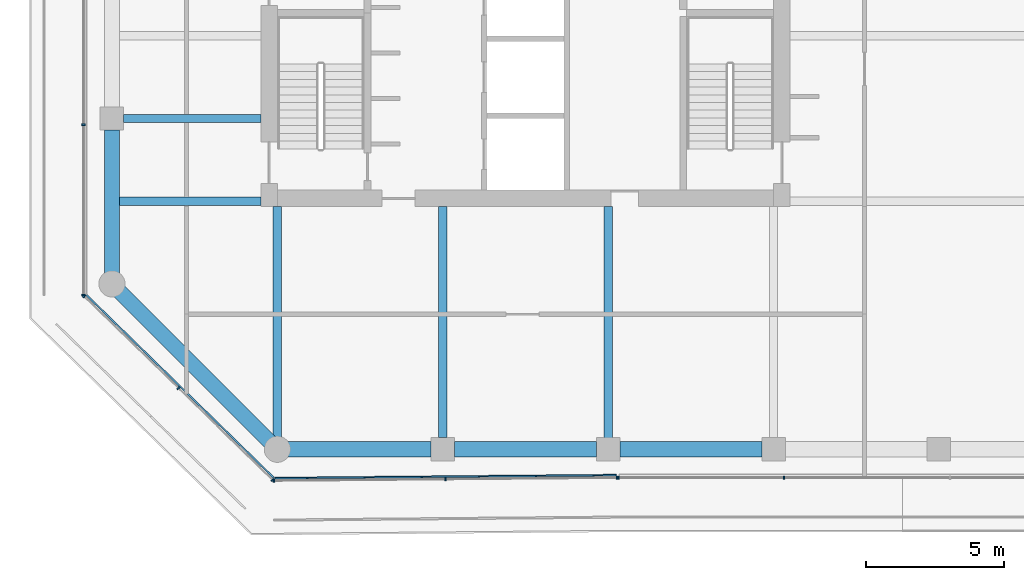
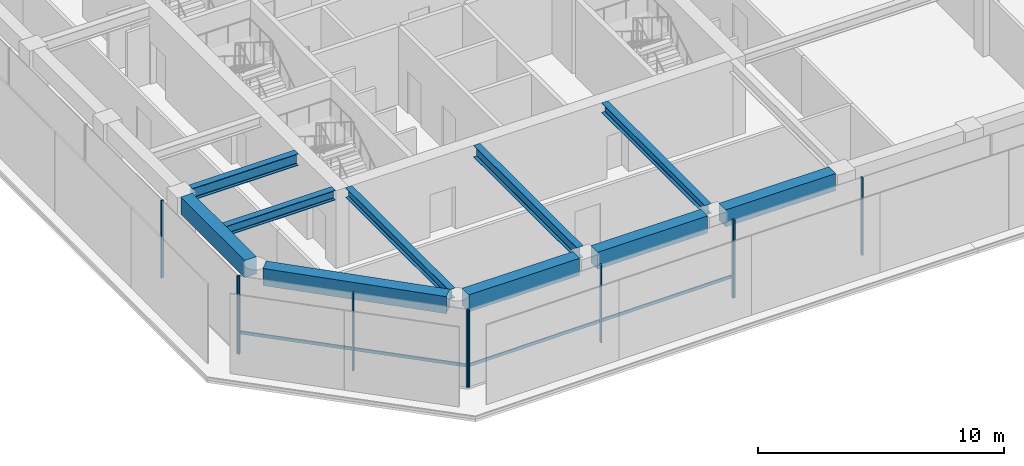
# One storey, part 2 of 19: 12 members, 10 beams, 4 elements without a shape of their own.
"""IFC4 building model written with IfcOpenShell, lengths in metres."""

from ifc_helpers import new_model, si_unit, direction, frame, origin, origin_2d, place, context, subcontext, project, spatial, rectangle, i_section, extrude, material, layer, layer_set, material_profile, profile_set, type_object, element, aggregate, save


model = new_model("IFC4")

# Units and contexts
model_context = context("Model", 3, precision=1e-05, world=origin(), true_north=direction((0.0, 1.0)))
body_context = subcontext(model_context, "Body", "Model", "MODEL_VIEW")
ifc_project = project(units=[si_unit("LENGTHUNIT", "METRE"), si_unit("AREAUNIT", "SQUARE_METRE"), si_unit("VOLUMEUNIT", "CUBIC_METRE"), si_unit("PLANEANGLEUNIT", "RADIAN"), si_unit("MASSUNIT", "GRAM", prefix="KILO")], contexts=[model_context])

# Site, building, storey
site_placement = place(None, origin())
site = spatial("IfcSite", under=ifc_project, at=site_placement, CompositionType="ELEMENT")
building_placement = place(site_placement, origin())
building = spatial("IfcBuilding", under=site, at=building_placement, Name="Welwitschia Terrace Campus", CompositionType="ELEMENT")
storey_placement = place(building_placement, frame((0.0, 0.0, 171.800048828125)))
storey = spatial("IfcBuildingStorey", under=building, at=storey_placement, Name="L38", CompositionType="ELEMENT", Elevation=171.800048828125)

# Beams
ifc_material_1 = material(Name="Steel S355", Category="steel")
ifc_material_profile_1 = material_profile(ifc_material_1, i_section(OverallWidth=0.300048828125, OverallDepth=0.489990234375, WebThickness=0.011962890625, FlangeThickness=0.02294921875, FilletRadius=0.027099609375, at=origin_2d()))
ifc_profile_set_1 = profile_set([ifc_material_profile_1], Name="Steel S355")
beam_type_1 = type_object("IfcBeamType", Name="Interior girder HE 500 A", PredefinedType="BEAM", material=ifc_profile_set_1)
beam_1_placement = place(storey_placement, frame((-0.010009765625, 5.0, 3.60498046875), z_axis=(1.0, 0.0, 0.0), x_axis=(0.0, 1.0, 0.0)))
element("IfcBeam", 1, at=beam_1_placement, inside=storey, type_object=beam_type_1, Name="Girder GB4", PredefinedType="BEAM", context=body_context, shape_type="SweptSolid", body=[
    extrude(i_section(OverallWidth=0.300048828125, OverallDepth=0.489990234375, WebThickness=0.011962890625, FlangeThickness=0.02294921875, FilletRadius=0.027099609375, at=origin_2d()), origin(), (0.0, 0.0, 1.0), 5.408935546875),
])
beam_2_placement = place(storey_placement, frame((6.0, -3.55859375, 3.60498046875), z_axis=(0.0, 1.0, 0.0), x_axis=(-1.0, 0.0, 0.0)))
element("IfcBeam", 2, at=beam_2_placement, inside=storey, type_object=beam_type_1, Name="Girder GB4", PredefinedType="BEAM", context=body_context, shape_type="SweptSolid", body=[
    extrude(i_section(OverallWidth=0.300048828125, OverallDepth=0.489990234375, WebThickness=0.011962890625, FlangeThickness=0.02294921875, FilletRadius=0.027099609375, at=origin_2d()), origin(), (0.0, 0.0, 1.0), 8.357666015625),
])
beam_3_placement = place(storey_placement, frame((18.0, -3.58447265625, 3.60498046875), z_axis=(0.0, 1.0, 0.0), x_axis=(-1.0, 0.0, 0.0)))
element("IfcBeam", 3, at=beam_3_placement, inside=storey, type_object=beam_type_1, Name="Girder GB4", PredefinedType="BEAM", context=body_context, shape_type="SweptSolid", body=[
    extrude(i_section(OverallWidth=0.300048828125, OverallDepth=0.489990234375, WebThickness=0.011962890625, FlangeThickness=0.02294921875, FilletRadius=0.027099609375, at=origin_2d()), origin(), (0.0, 0.0, 1.0), 8.383544921875),
])

# Curtain wall, members
ifc_material_2 = material(Name="Bronze anodised aluminium", Category="aluminium")
ifc_layer = layer(ifc_material_2, 0.1201171875)
ifc_layer_set = layer_set([ifc_layer], Name="Bronze anodised aluminium")
curtain_wall_type = type_object("IfcCurtainWallType", Name="Curtain wall CW2 tower 6000", PredefinedType="NOTDEFINED", material=ifc_layer_set)
curtain_wall_1_placement = place(storey_placement, origin())
curtain_wall_1 = element("IfcCurtainWall", 4, at=curtain_wall_1_placement, inside=storey, type_object=curtain_wall_type, Name="CW L38.1.0", PredefinedType="NOTDEFINED")
ifc_material_3 = material(Name="Bronze anodised aluminium", Category="aluminium")
ifc_material_profile_2 = material_profile(ifc_material_3, rectangle(XDim=0.1201171875, YDim=0.06005859375, at=origin_2d()))
ifc_profile_set_2 = profile_set([ifc_material_profile_2], Name="Bronze anodised aluminium")
member_type_1 = type_object("IfcMemberType", Name="Mullion 60x120", PredefinedType="MULLION", material=ifc_profile_set_2)
member_1_placement = place(storey_placement, frame((-1.030029296875, 7.771240234375, 0.0), z_axis=(0.0, 0.0, 1.0), x_axis=(1.0, 0.0, 0.0)))
member_1 = element("IfcMember", 5, at=member_1_placement, type_object=member_type_1, Name="Mullion L38.1.0.3", PredefinedType="MULLION", context=body_context, shape_type="SweptSolid", body=[
    extrude(rectangle(XDim=0.1201171875, YDim=0.06005859375, at=origin_2d()), origin(), (0.0, 0.0, 1.0), 3.849853515625),
])
member_2_placement = place(storey_placement, frame((-1.030029296875, 1.60302734375, 0.0), z_axis=(0.0, 0.0, 1.0), x_axis=(1.0, 0.0, 0.0)))
member_2 = element("IfcMember", 6, at=member_2_placement, type_object=member_type_1, Name="Mullion L38.1.0.4", PredefinedType="MULLION", context=body_context, shape_type="SweptSolid", body=[
    extrude(rectangle(XDim=0.1201171875, YDim=0.06005859375, at=origin_2d()), origin(), (0.0, 0.0, 1.0), 3.849853515625),
])
aggregate(curtain_wall_1, [member_1, member_2])

curtain_wall_2_placement = place(storey_placement, origin())
curtain_wall_2 = element("IfcCurtainWall", 7, at=curtain_wall_2_placement, inside=storey, type_object=curtain_wall_type, Name="CW L38.2.0", PredefinedType="NOTDEFINED")
member_3_placement = place(storey_placement, frame((-1.008544921875, 1.55224609375, 0.0), z_axis=(0.0, 0.0, 1.0), x_axis=(0.698399472083, 0.715708164963, 0.0)))
member_3 = element("IfcMember", 8, at=member_3_placement, type_object=member_type_1, Name="Mullion L38.2.0.0", PredefinedType="MULLION", context=body_context, shape_type="SweptSolid", body=[
    extrude(rectangle(XDim=0.1201171875, YDim=0.06005859375, at=origin_2d()), origin(), (0.0, 0.0, 1.0), 3.849853515625),
])
member_4_placement = place(storey_placement, frame((2.409423828125, -1.782958984375, 0.0), z_axis=(0.0, 0.0, 1.0), x_axis=(0.698399472083, 0.715708164963, 0.0)))
member_4 = element("IfcMember", 9, at=member_4_placement, type_object=member_type_1, Name="Mullion L38.2.0.1", PredefinedType="MULLION", context=body_context, shape_type="SweptSolid", body=[
    extrude(rectangle(XDim=0.1201171875, YDim=0.06005859375, at=origin_2d()), origin(), (0.0, 0.0, 1.0), 3.849853515625),
])
member_5_placement = place(storey_placement, frame((5.8271484375, -5.1181640625, 0.0), z_axis=(0.0, 0.0, 1.0), x_axis=(0.698399472083, 0.715708164963, 0.0)))
member_5 = element("IfcMember", 10, at=member_5_placement, type_object=member_type_1, Name="Mullion L38.2.0.2", PredefinedType="MULLION", context=body_context, shape_type="SweptSolid", body=[
    extrude(rectangle(XDim=0.1201171875, YDim=0.06005859375, at=origin_2d()), origin(), (0.0, 0.0, 1.0), 3.849853515625),
])

curtain_wall_3_placement = place(storey_placement, origin())
curtain_wall_3 = element("IfcCurtainWall", 11, at=curtain_wall_3_placement, inside=storey, type_object=curtain_wall_type, Name="CW L38.3.0", PredefinedType="NOTDEFINED")
member_6_placement = place(storey_placement, frame((5.878662109375, -5.138916015625, 0.0), z_axis=(0.0, 0.0, 1.0), x_axis=(-0.008726535498, 0.999961923064, 0.0)))
member_6 = element("IfcMember", 12, at=member_6_placement, type_object=member_type_1, Name="Mullion L38.3.0.0", PredefinedType="MULLION", context=body_context, shape_type="SweptSolid", body=[
    extrude(rectangle(XDim=0.1201171875, YDim=0.06005859375, at=origin_2d()), origin(), (0.0, 0.0, 1.0), 3.849853515625),
])
member_7_placement = place(storey_placement, frame((12.10009765625, -5.08447265625, 0.0), z_axis=(0.0, 0.0, 1.0), x_axis=(-0.008726535498, 0.999961923064, 0.0)))
member_7 = element("IfcMember", 13, at=member_7_placement, type_object=member_type_1, Name="Mullion L38.3.0.1", PredefinedType="MULLION", context=body_context, shape_type="SweptSolid", body=[
    extrude(rectangle(XDim=0.1201171875, YDim=0.06005859375, at=origin_2d()), origin(), (0.0, 0.0, 1.0), 3.849853515625),
])
member_8_placement = place(storey_placement, frame((18.321533203125, -5.0302734375, 0.0), z_axis=(0.0, 0.0, 1.0), x_axis=(-0.008726535498, 0.999961923064, 0.0)))
member_8 = element("IfcMember", 14, at=member_8_placement, type_object=member_type_1, Name="Mullion L38.3.0.2", PredefinedType="MULLION", context=body_context, shape_type="SweptSolid", body=[
    extrude(rectangle(XDim=0.1201171875, YDim=0.06005859375, at=origin_2d()), origin(), (0.0, 0.0, 1.0), 3.849853515625),
])

curtain_wall_4_placement = place(storey_placement, origin())
curtain_wall_4 = element("IfcCurtainWall", 15, at=curtain_wall_4_placement, inside=storey, type_object=curtain_wall_type, Name="CW L38.4.0", PredefinedType="NOTDEFINED")
member_9_placement = place(storey_placement, frame((18.38134765625, -5.030029296875, 0.0), z_axis=(0.0, 0.0, 1.0), x_axis=(0.0, 1.0, 0.0)))
member_9 = element("IfcMember", 16, at=member_9_placement, type_object=member_type_1, Name="Mullion L38.4.0.0", PredefinedType="MULLION", context=body_context, shape_type="SweptSolid", body=[
    extrude(rectangle(XDim=0.1201171875, YDim=0.06005859375, at=origin_2d()), origin(), (0.0, 0.0, 1.0), 3.849853515625),
])
member_10_placement = place(storey_placement, frame((24.37646484375, -5.030029296875, 0.0), z_axis=(0.0, 0.0, 1.0), x_axis=(0.0, 1.0, 0.0)))
member_10 = element("IfcMember", 17, at=member_10_placement, type_object=member_type_1, Name="Mullion L38.4.0.1", PredefinedType="MULLION", context=body_context, shape_type="SweptSolid", body=[
    extrude(rectangle(XDim=0.1201171875, YDim=0.06005859375, at=origin_2d()), origin(), (0.0, 0.0, 1.0), 3.849853515625),
])
aggregate(curtain_wall_4, [member_9, member_10])

# Beams
ifc_material_4 = material(Name="Steel S355", Category="steel")
ifc_material_profile_3 = material_profile(ifc_material_4, i_section(OverallWidth=0.300048828125, OverallDepth=0.590087890625, WebThickness=0.012939453125, FlangeThickness=0.02490234375, FilletRadius=0.027099609375, at=origin_2d()))
ifc_profile_set_3 = profile_set([ifc_material_profile_3], Name="Steel S355")
beam_type_2 = type_object("IfcBeamType", Name="Primary beam HE 600 A", PredefinedType="BEAM", material=ifc_profile_set_3)
beam_4_placement = place(storey_placement, frame((12.0, -3.574462890625, 3.554931640625), z_axis=(0.0, 1.0, 0.0), x_axis=(-1.0, 0.0, 0.0)))
element("IfcBeam", 18, at=beam_4_placement, inside=storey, type_object=beam_type_2, Name="Primary beam PB4", PredefinedType="BEAM", context=body_context, shape_type="SweptSolid", body=[
    extrude(i_section(OverallWidth=0.300048828125, OverallDepth=0.590087890625, WebThickness=0.012939453125, FlangeThickness=0.02490234375, FilletRadius=0.027099609375, at=origin_2d()), origin(), (0.0, 0.0, 1.0), 8.37451171875),
])
beam_5_placement = place(storey_placement, frame((0.425537109375, 8.0, 3.554931640625), z_axis=(1.0, 0.0, 0.0), x_axis=(0.0, 1.0, 0.0)))
element("IfcBeam", 19, at=beam_5_placement, inside=storey, type_object=beam_type_2, Name="Primary beam PB4", PredefinedType="BEAM", context=body_context, shape_type="SweptSolid", body=[
    extrude(i_section(OverallWidth=0.300048828125, OverallDepth=0.590087890625, WebThickness=0.012939453125, FlangeThickness=0.02490234375, FilletRadius=0.027099609375, at=origin_2d()), origin(), (0.0, 0.0, 1.0), 4.974365234375),
])
ifc_material_5 = material(Name="Concrete C50/60", Category="concrete")
ifc_material_profile_4 = material_profile(ifc_material_5, rectangle(XDim=0.550048828125, YDim=0.85009765625, at=origin_2d()))
ifc_profile_set_4 = profile_set([ifc_material_profile_4], Name="Concrete C50/60")
beam_type_3 = type_object("IfcBeamType", Name="Ring spandrel 550x850", PredefinedType="SPANDREL", material=ifc_profile_set_4)
beam_6_placement = place(storey_placement, frame((0.2744140625, 1.7255859375, 3.425048828125), z_axis=(0.707106781187, -0.707106781187, 0.0), x_axis=(0.707106781187, 0.707106781187, 0.0)))
element("IfcBeam", 20, at=beam_6_placement, inside=storey, type_object=beam_type_3, Name="Spandrel SP3", PredefinedType="SPANDREL", context=body_context, shape_type="SweptSolid", body=[
    extrude(rectangle(XDim=0.550048828125, YDim=0.85009765625, at=origin_2d()), origin(), (0.0, 0.0, 1.0), 7.709228515625),
])
beam_7_placement = place(storey_placement, frame((6.387939453125, -4.0, 3.425048828125), z_axis=(1.0, 0.0, 0.0), x_axis=(0.0, 1.0, 0.0)))
element("IfcBeam", 21, at=beam_7_placement, inside=storey, type_object=beam_type_3, Name="Spandrel SP3", PredefinedType="SPANDREL", context=body_context, shape_type="SweptSolid", body=[
    extrude(rectangle(XDim=0.550048828125, YDim=0.85009765625, at=origin_2d()), origin(), (0.0, 0.0, 1.0), 5.1865234375),
])
for number, where, z_axis, x_axis, name in (
    (22, (12.425537109375, -4.0, 3.425048828125), (1.0, 0.0, 0.0), (0.0, 1.0, 0.0), "Spandrel SP3"),
    (23, (18.425537109375, -4.0, 3.425048828125), (1.0, 0.0, 0.0), (0.0, 1.0, 0.0), "Spandrel SP3"),
):
    element("IfcBeam", number, at=place(storey_placement, frame(where, z_axis=z_axis, x_axis=x_axis)), inside=storey, type_object=beam_type_3, Name=name, PredefinedType="SPANDREL", context=body_context, shape_type="SweptSolid", body=[
        extrude(rectangle(XDim=0.550048828125, YDim=0.85009765625, at=origin_2d()), origin(), (0.0, 0.0, 1.0), 5.14892578125),
    ])
beam_8_placement = place(storey_placement, frame((0.0, 7.574462890625, 3.425048828125), z_axis=(0.0, -1.0, 0.0), x_axis=(1.0, 0.0, 0.0)))
element("IfcBeam", 24, at=beam_8_placement, inside=storey, type_object=beam_type_3, Name="Spandrel SP3", PredefinedType="SPANDREL", context=body_context, shape_type="SweptSolid", body=[
    extrude(rectangle(XDim=0.550048828125, YDim=0.85009765625, at=origin_2d()), origin(), (0.0, 0.0, 1.0), 5.1865234375),
])

# Member
ifc_material_6 = material(Name="Bronze anodised aluminium", Category="aluminium")
ifc_material_profile_5 = material_profile(ifc_material_6, rectangle(XDim=0.06005859375, YDim=0.14990234375, at=origin_2d()))
ifc_profile_set_5 = profile_set([ifc_material_profile_5], Name="Bronze anodised aluminium")
member_type_2 = type_object("IfcMemberType", Name="Transom 60x150", PredefinedType="USERDEFINED", material=ifc_profile_set_5)
member_11_placement = place(storey_placement, frame((-0.92431640625, 1.595703125, 1.0), z_axis=(0.715709814778, -0.698397781376, 0.0), x_axis=(0.698397781376, 0.715709814778, 0.0)))
member_11 = element("IfcMember", 25, at=member_11_placement, type_object=member_type_2, Name="Transom L38.2.0", ObjectType="TRANSOM", PredefinedType="USERDEFINED", context=body_context, shape_type="SweptSolid", body=[
    extrude(rectangle(XDim=0.06005859375, YDim=0.14990234375, at=origin_2d()), origin(), (0.0, 0.0, 1.0), 9.490966796875),
])

aggregate(curtain_wall_2, [member_3, member_4, member_5, member_11])

member_12_placement = place(storey_placement, frame((5.90771484375, -5.048583984375, 1.0), z_axis=(0.999961860324, 0.008733721814, 0.0), x_axis=(-0.008733721814, 0.999961860324, 0.0)))
member_12 = element("IfcMember", 26, at=member_12_placement, type_object=member_type_2, Name="Transom L38.3.0", ObjectType="TRANSOM", PredefinedType="USERDEFINED", context=body_context, shape_type="SweptSolid", body=[
    extrude(rectangle(XDim=0.06005859375, YDim=0.14990234375, at=origin_2d()), origin(), (0.0, 0.0, 1.0), 12.383544921875),
])

aggregate(curtain_wall_3, [member_6, member_7, member_8, member_12])

save(model, "model.ifc")
